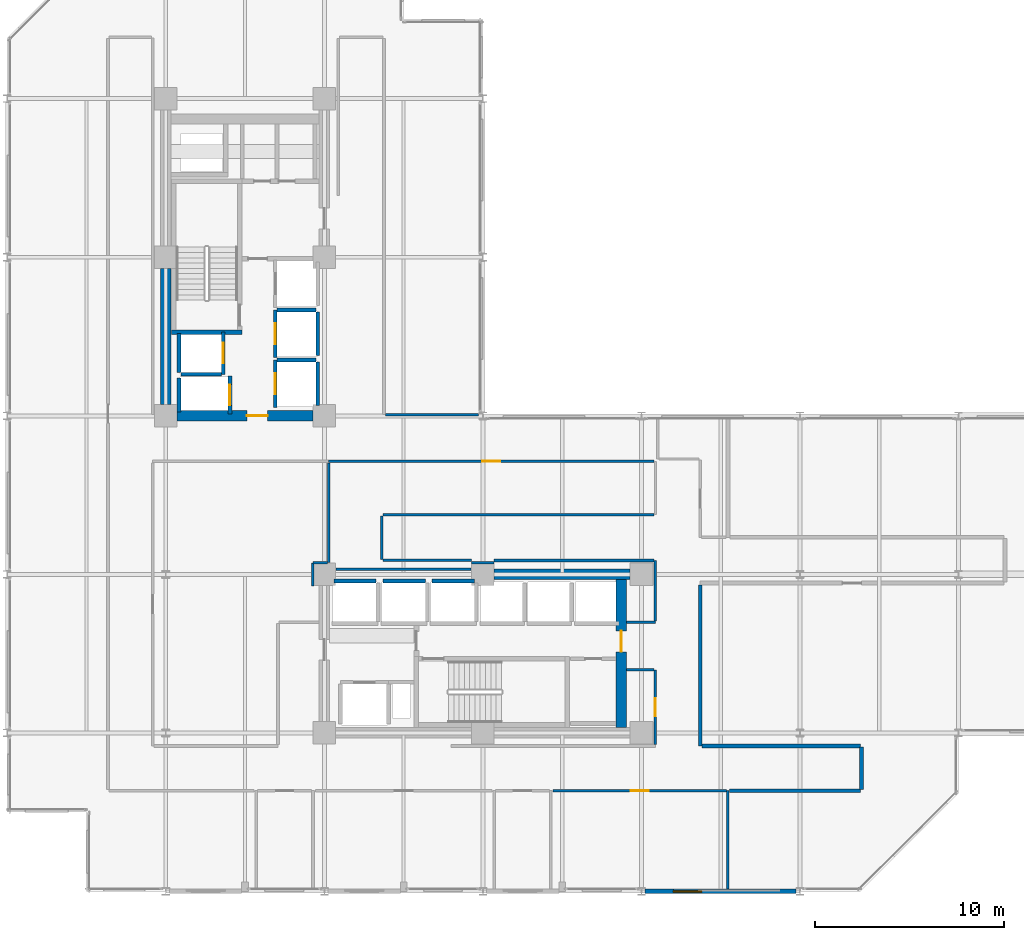
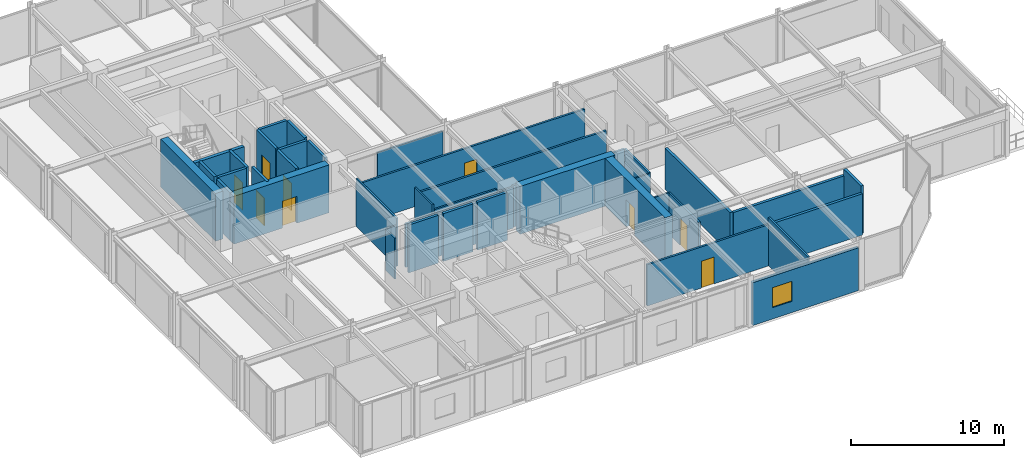
# One storey, part 33 of 38: 41 walls, 9 doors, 1 window, 10 openings.
"""IFC4 building model written with IfcOpenShell, lengths in metres."""

from ifc_helpers import new_model, si_unit, direction, frame, frame_2d, origin, place, context, subcontext, project, spatial, rectangle, extrude, material, layer, layer_set, type_object, element, fill, save


model = new_model("IFC4")

# Units and contexts
model_context = context("Model", 3, precision=1e-05, world=origin(), true_north=direction((0.0, 1.0)))
body_context = subcontext(model_context, "Body", "Model", "MODEL_VIEW")
ifc_project = project(units=[si_unit("LENGTHUNIT", "METRE"), si_unit("AREAUNIT", "SQUARE_METRE"), si_unit("VOLUMEUNIT", "CUBIC_METRE"), si_unit("PLANEANGLEUNIT", "RADIAN"), si_unit("MASSUNIT", "GRAM", prefix="KILO")], contexts=[model_context])

# Site, building, storey
site_placement = place(None, origin())
site = spatial("IfcSite", under=ifc_project, at=site_placement, CompositionType="ELEMENT")
building_placement = place(site_placement, origin())
building = spatial("IfcBuilding", under=site, at=building_placement, Name="Nerrivon Quay Data Exchange", CompositionType="ELEMENT")
storey_placement = place(building_placement, frame((0.0, 0.0, 88.5)))
storey = spatial("IfcBuildingStorey", under=building, at=storey_placement, Name="L20", CompositionType="ELEMENT", Elevation=88.5)

# Wall, opening, window
ifc_material_1 = material(Name="Architectural terracotta precast concrete N50 (50 MPa)", Category="masonry")
ifc_layer_1 = layer(ifc_material_1, 0.239990234375)
ifc_layer_set_1 = layer_set([ifc_layer_1], Name="Architectural terracotta precast concrete N50 (50 MPa)")
wall_type_1 = type_object("IfcWallType", Name="EW-PREC-240", PredefinedType="STANDARD", material=ifc_layer_set_1)
wall_1_placement = place(storey_placement, frame((41.800048828125, 0.0, 0.0), z_axis=(0.0, 0.0, 1.0), x_axis=(-1.0, 0.0, 0.0)))
wall_1 = element("IfcWall", 1, at=wall_1_placement, inside=storey, type_object=wall_type_1, Name="L20 Podium Precast Spandrel Wall 7", PredefinedType="STANDARD", context=body_context, shape_type="SweptSolid", body=[
    extrude(rectangle(XDim=8.0, YDim=0.239990234375, at=frame_2d((4.0, 0.0))), origin(), (0.0, 0.0, 1.0), 3.422119140625),
])
opening_1_placement = place(wall_1_placement, frame((5.013916015625, 0.0, 0.89990234375)))
opening_1 = element("IfcOpeningElement", 2, at=opening_1_placement, cuts=wall_1, Name="Opening WN4", PredefinedType="OPENING", context=body_context, shape_type="SweptSolid", body=[
    extrude(rectangle(XDim=1.5, YDim=1.60009765625, at=frame_2d((0.75, 0.800048828125))), frame((0.0, 0.1298828125, 0.0), z_axis=(0.0, -1.0, 0.0), x_axis=(1.0, 0.0, 0.0)), (0.0, 0.0, 1.0), 0.260009765625),
])
ifc_material_2 = material(Name="Double-glazed low-E solar control glass", Category="glass")
window_type = type_object("IfcWindowType", Name="WIN-W4-1500x1600", PartitioningType="SINGLE_PANEL", PredefinedType="WINDOW", material=ifc_material_2)
window_placement = place(opening_1_placement, origin())
window = element("IfcWindow", 3, at=window_placement, inside=storey, type_object=window_type, Name="L20 Solar Facade Window 7", OverallHeight=1.60009765625, OverallWidth=1.5, PartitioningType="SINGLE_PANEL", PredefinedType="WINDOW", context=body_context, shape_type="SweptSolid", body=[
    extrude(rectangle(XDim=1.5, YDim=1.60009765625, at=frame_2d((0.75, 0.800048828125))), frame((0.0, 0.030029296875, 0.0), z_axis=(0.0, -1.0, 0.0), x_axis=(1.0, 0.0, 0.0)), (0.0, 0.0, 1.0), 0.06005859375),
])
fill(opening_1, window)

# Wall
ifc_material_3 = material(Name="Concrete S65 (65 MPa)", Category="concrete")
ifc_layer_2 = layer(ifc_material_3, 0.550048828125)
ifc_layer_set_2 = layer_set([ifc_layer_2], Name="Concrete S65 (65 MPa)")
wall_type_2 = type_object("IfcWallType", Name="WALL-CW-700", PredefinedType="SHEAR", material=ifc_layer_set_2)
wall_2_placement = place(storey_placement, frame((8.39990234375, 25.800048828125, 0.0), z_axis=(0.0, 0.0, 1.0), x_axis=(0.0, 1.0, 0.0)))
element("IfcWall", 4, at=wall_2_placement, inside=storey, type_object=wall_type_2, Name="L20 West Split-Core Shear Wall WCW-W1", PredefinedType="SHEAR", context=body_context, shape_type="SweptSolid", body=[
    extrude(rectangle(XDim=7.199951171875, YDim=0.550048828125, at=frame_2d((3.60009765625, 0.0))), origin(), (0.0, 0.0, 1.0), 3.824951171875),
])

# Wall, opening, door
wall_3_placement = place(storey_placement, frame((9.0, 25.199951171875, 0.0), z_axis=(0.0, 0.0, 1.0), x_axis=(1.0, 0.0, 0.0)))
wall_3 = element("IfcWall", 5, at=wall_3_placement, inside=storey, type_object=wall_type_2, Name="L20 West Split-Core Shear Wall WCW-S1", PredefinedType="SHEAR", context=body_context, shape_type="SweptSolid", body=[
    extrude(rectangle(XDim=7.199951171875, YDim=0.550048828125, at=frame_2d((3.60009765625, 0.0))), origin(), (0.0, 0.0, 1.0), 3.824951171875),
])
opening_2_placement = place(wall_3_placement, frame((3.699951171875, 0.0, 0.0)))
opening_2 = element("IfcOpeningElement", 6, at=opening_2_placement, cuts=wall_3, Name="Opening FD-120", PredefinedType="OPENING", context=body_context, shape_type="SweptSolid", body=[
    extrude(rectangle(XDim=1.10009765625, YDim=2.14990234375, at=frame_2d((0.550048828125, 1.074951171875))), frame((0.0, 0.284912109375, 0.0), z_axis=(0.0, -1.0, 0.0), x_axis=(1.0, 0.0, 0.0)), (0.0, 0.0, 1.0), 0.570068359375),
])
ifc_material_4 = material(Name="Powder-coated galvanized steel sheet", Category="steel")
door_type_1 = type_object("IfcDoorType", Name="DR-FD120-1100", OperationType="NOTDEFINED", PredefinedType="DOOR", material=ifc_material_4)
door_1_placement = place(opening_2_placement, origin())
door_1 = element("IfcDoor", 7, at=door_1_placement, inside=storey, type_object=door_type_1, Name="L20 West Core Lobby Fire Door", OperationType="SINGLE_SWING_RIGHT", OverallHeight=2.14990234375, OverallWidth=1.10009765625, PredefinedType="DOOR", context=body_context, shape_type="SweptSolid", body=[
    extrude(rectangle(XDim=1.10009765625, YDim=2.14990234375, at=frame_2d((0.550048828125, 1.074951171875))), frame((0.0, 0.02490234375, 0.0), z_axis=(0.0, -1.0, 0.0), x_axis=(1.0, 0.0, 0.0)), (0.0, 0.0, 1.0), 0.050048828125),
])
fill(opening_2, door_1)

wall_4_placement = place(storey_placement, frame((32.52490234375, 8.675048828125, 0.0), z_axis=(0.0, 0.0, 1.0), x_axis=(0.0, 1.0, 0.0)))
wall_4 = element("IfcWall", 8, at=wall_4_placement, inside=storey, type_object=wall_type_2, Name="L20 East Split-Core Shear Wall ECW-E1", PredefinedType="SHEAR", context=body_context, shape_type="SweptSolid", body=[
    extrude(rectangle(XDim=7.849853515625, YDim=0.550048828125, at=frame_2d((3.9248046875, 0.0))), origin(), (0.0, 0.0, 1.0), 3.824951171875),
])
opening_3_placement = place(wall_4_placement, frame((4.02490234375, 0.0, 0.0)))
opening_3 = element("IfcOpeningElement", 9, at=opening_3_placement, cuts=wall_4, Name="Opening FD-120", PredefinedType="OPENING", context=body_context, shape_type="SweptSolid", body=[
    extrude(rectangle(XDim=1.10009765625, YDim=2.14990234375, at=frame_2d((0.550048828125, 1.074951171875))), frame((0.0, 0.284912109375, 0.0), z_axis=(0.0, -1.0, 0.0), x_axis=(1.0, 0.0, 0.0)), (0.0, 0.0, 1.0), 0.570068359375),
])
door_2_placement = place(opening_3_placement, origin())
door_2 = element("IfcDoor", 10, at=door_2_placement, inside=storey, type_object=door_type_1, Name="L20 East Core Lobby Fire Door", OperationType="SINGLE_SWING_LEFT", OverallHeight=2.14990234375, OverallWidth=1.10009765625, PredefinedType="DOOR", context=body_context, shape_type="SweptSolid", body=[
    extrude(rectangle(XDim=1.10009765625, YDim=2.14990234375, at=frame_2d((0.550048828125, 1.074951171875))), frame((0.0, 0.02490234375, 0.0), z_axis=(0.0, -1.0, 0.0), x_axis=(1.0, 0.0, 0.0)), (0.0, 0.0, 1.0), 0.050048828125),
])
fill(opening_3, door_2)

# Wall
wall_5_placement = place(storey_placement, frame((25.800048828125, 16.800048828125, 0.0), z_axis=(0.0, 0.0, 1.0), x_axis=(1.0, 0.0, 0.0)))
element("IfcWall", 11, at=wall_5_placement, inside=storey, type_object=wall_type_2, Name="L20 East Split-Core Shear Wall ECW-N1", PredefinedType="SHEAR", context=body_context, shape_type="SweptSolid", body=[
    extrude(rectangle(XDim=7.199951171875, YDim=0.550048828125, at=frame_2d((3.60009765625, 0.0))), origin(), (0.0, 0.0, 1.0), 3.824951171875),
])

# Wall, opening, door
ifc_material_5 = material(Name="Gypsum plasterboard on cold-formed framing", Category="gypsum")
ifc_layer_3 = layer(ifc_material_5, 0.199951171875)
ifc_layer_set_3 = layer_set([ifc_layer_3], Name="Gypsum plasterboard on cold-formed framing")
wall_type_3 = type_object("IfcWallType", Name="WALL-FW-200", PredefinedType="PARTITIONING", material=ifc_layer_set_3)
wall_6_placement = place(storey_placement, frame((11.449951171875, 27.39990234375, 0.0), z_axis=(0.0, 0.0, 1.0), x_axis=(0.0, 1.0, 0.0)))
wall_6 = element("IfcWall", 12, at=wall_6_placement, inside=storey, type_object=wall_type_3, Name="L20 Lift Front Wall FFL-1", PredefinedType="PARTITIONING", context=body_context, shape_type="SweptSolid", body=[
    extrude(rectangle(XDim=2.25, YDim=0.199951171875, at=frame_2d((1.125, 0.0))), origin(), (0.0, 0.0, 1.0), 3.824951171875),
])
opening_4_placement = place(wall_6_placement, frame((0.574951171875, 0.0, 0.0)))
opening_4 = element("IfcOpeningElement", 13, at=opening_4_placement, cuts=wall_6, Name="Opening LD-120", PredefinedType="OPENING", context=body_context, shape_type="SweptSolid", body=[
    extrude(rectangle(XDim=1.10009765625, YDim=2.199951171875, at=frame_2d((0.550048828125, 1.10009765625))), frame((0.0, 0.10986328125, 0.0), z_axis=(0.0, -1.0, 0.0), x_axis=(1.0, 0.0, 0.0)), (0.0, 0.0, 1.0), 0.219970703125),
])
door_type_2 = type_object("IfcDoorType", Name="DR-LIFT-LD120", OperationType="DOUBLE_DOOR_SLIDING", PredefinedType="DOOR", material=ifc_material_4)
door_3_placement = place(opening_4_placement, origin())
door_3 = element("IfcDoor", 14, at=door_3_placement, inside=storey, type_object=door_type_2, Name="L20 Lift Landing Sliding Door FFL-1", OperationType="DOUBLE_DOOR_SLIDING", OverallHeight=2.199951171875, OverallWidth=1.10009765625, PredefinedType="DOOR", context=body_context, shape_type="SweptSolid", body=[
    extrude(rectangle(XDim=1.10009765625, YDim=2.199951171875, at=frame_2d((0.550048828125, 1.10009765625))), frame((0.0, 0.02490234375, 0.0), z_axis=(0.0, -1.0, 0.0), x_axis=(1.0, 0.0, 0.0)), (0.0, 0.0, 1.0), 0.050048828125),
])
fill(opening_4, door_3)

# Walls
wall_7_placement = place(storey_placement, frame((9.10009765625, 27.5, 0.0), z_axis=(0.0, 0.0, 1.0), x_axis=(0.0, 1.0, 0.0)))
element("IfcWall", 15, at=wall_7_placement, inside=storey, type_object=wall_type_3, Name="L20 Lift Shaft Wall FFL-1 WEST", PredefinedType="PARTITIONING", context=body_context, shape_type="SweptSolid", body=[
    extrude(rectangle(XDim=2.050048828125, YDim=0.199951171875, at=frame_2d((1.02490234375, 0.0))), origin(), (0.0, 0.0, 1.0), 3.824951171875),
])
wall_8_placement = place(storey_placement, frame((9.199951171875, 27.39990234375, 0.0), z_axis=(0.0, 0.0, 1.0), x_axis=(1.0, 0.0, 0.0)))
element("IfcWall", 16, at=wall_8_placement, inside=storey, type_object=wall_type_3, Name="L20 Lift Shaft Wall FFL-1 SOUTH", PredefinedType="PARTITIONING", context=body_context, shape_type="SweptSolid", body=[
    extrude(rectangle(XDim=2.150146484375, YDim=0.199951171875, at=frame_2d((1.0751953125, 0.0))), origin(), (0.0, 0.0, 1.0), 3.824951171875),
])

# Wall, opening, door
wall_9_placement = place(storey_placement, frame((11.800048828125, 25.300048828125, 0.0), z_axis=(0.0, 0.0, 1.0), x_axis=(0.0, 1.0, 0.0)))
wall_9 = element("IfcWall", 17, at=wall_9_placement, inside=storey, type_object=wall_type_3, Name="L20 Lift Front Wall SVL-1", PredefinedType="PARTITIONING", context=body_context, shape_type="SweptSolid", body=[
    extrude(rectangle(XDim=2.0, YDim=0.199951171875, at=frame_2d((1.0, 0.0))), origin(), (0.0, 0.0, 1.0), 3.824951171875),
])
opening_5_placement = place(wall_9_placement, frame((0.449951171875, 0.0, 0.0)))
opening_5 = element("IfcOpeningElement", 18, at=opening_5_placement, cuts=wall_9, Name="Opening LD-120", PredefinedType="OPENING", context=body_context, shape_type="SweptSolid", body=[
    extrude(rectangle(XDim=1.10009765625, YDim=2.199951171875, at=frame_2d((0.550048828125, 1.10009765625))), frame((0.0, 0.10986328125, 0.0), z_axis=(0.0, -1.0, 0.0), x_axis=(1.0, 0.0, 0.0)), (0.0, 0.0, 1.0), 0.219970703125),
])
door_4_placement = place(opening_5_placement, origin())
door_4 = element("IfcDoor", 19, at=door_4_placement, inside=storey, type_object=door_type_2, Name="L20 Lift Landing Sliding Door SVL-1", OperationType="DOUBLE_DOOR_SLIDING", OverallHeight=2.199951171875, OverallWidth=1.10009765625, PredefinedType="DOOR", context=body_context, shape_type="SweptSolid", body=[
    extrude(rectangle(XDim=1.10009765625, YDim=2.199951171875, at=frame_2d((0.550048828125, 1.10009765625))), frame((0.0, 0.02490234375, 0.0), z_axis=(0.0, -1.0, 0.0), x_axis=(1.0, 0.0, 0.0)), (0.0, 0.0, 1.0), 0.050048828125),
])
fill(opening_5, door_4)

# Wall
wall_10_placement = place(storey_placement, frame((9.10009765625, 25.39990234375, 0.0), z_axis=(0.0, 0.0, 1.0), x_axis=(0.0, 1.0, 0.0)))
element("IfcWall", 20, at=wall_10_placement, inside=storey, type_object=wall_type_3, Name="L20 Lift Shaft Wall SVL-1 WEST", PredefinedType="PARTITIONING", context=body_context, shape_type="SweptSolid", body=[
    extrude(rectangle(XDim=1.800048828125, YDim=0.199951171875, at=frame_2d((0.89990234375, 0.0))), origin(), (0.0, 0.0, 1.0), 3.824951171875),
])

# Wall, opening, door
wall_11_placement = place(storey_placement, frame((14.199951171875, 25.64990234375, 0.0), z_axis=(0.0, 0.0, 1.0), x_axis=(0.0, 1.0, 0.0)))
wall_11 = element("IfcWall", 21, at=wall_11_placement, inside=storey, type_object=wall_type_3, Name="L20 Lift Front Wall PL1", PredefinedType="PARTITIONING", context=body_context, shape_type="SweptSolid", body=[
    extrude(rectangle(XDim=2.5, YDim=0.199951171875, at=frame_2d((1.25, 0.0))), origin(), (0.0, 0.0, 1.0), 3.824951171875),
])
opening_6_placement = place(wall_11_placement, frame((0.699951171875, 0.0, 0.0)))
opening_6 = element("IfcOpeningElement", 22, at=opening_6_placement, cuts=wall_11, Name="Opening LD-120", PredefinedType="OPENING", context=body_context, shape_type="SweptSolid", body=[
    extrude(rectangle(XDim=1.10009765625, YDim=2.199951171875, at=frame_2d((0.550048828125, 1.10009765625))), frame((0.0, 0.10986328125, 0.0), z_axis=(0.0, -1.0, 0.0), x_axis=(1.0, 0.0, 0.0)), (0.0, 0.0, 1.0), 0.219970703125),
])
door_5_placement = place(opening_6_placement, origin())
door_5 = element("IfcDoor", 23, at=door_5_placement, inside=storey, type_object=door_type_2, Name="L20 Lift Landing Sliding Door PL1", OperationType="DOUBLE_DOOR_SLIDING", OverallHeight=2.199951171875, OverallWidth=1.10009765625, PredefinedType="DOOR", context=body_context, shape_type="SweptSolid", body=[
    extrude(rectangle(XDim=1.10009765625, YDim=2.199951171875, at=frame_2d((0.550048828125, 1.10009765625))), frame((0.0, 0.02490234375, 0.0), z_axis=(0.0, -1.0, 0.0), x_axis=(1.0, 0.0, 0.0)), (0.0, 0.0, 1.0), 0.050048828125),
])
fill(opening_6, door_5)

# Walls
wall_12_placement = place(storey_placement, frame((16.449951171875, 25.75, 0.0), z_axis=(0.0, 0.0, 1.0), x_axis=(0.0, 1.0, 0.0)))
element("IfcWall", 24, at=wall_12_placement, inside=storey, type_object=wall_type_3, Name="L20 Lift Shaft Wall PL1 EAST", PredefinedType="PARTITIONING", context=body_context, shape_type="SweptSolid", body=[
    extrude(rectangle(XDim=2.300048828125, YDim=0.199951171875, at=frame_2d((1.14990234375, 0.0))), origin(), (0.0, 0.0, 1.0), 3.824951171875),
])
wall_13_placement = place(storey_placement, frame((14.300048828125, 28.14990234375, 0.0), z_axis=(0.0, 0.0, 1.0), x_axis=(1.0, 0.0, 0.0)))
element("IfcWall", 25, at=wall_13_placement, inside=storey, type_object=wall_type_3, Name="L20 Lift Shaft Wall PL1 NORTH", PredefinedType="PARTITIONING", context=body_context, shape_type="SweptSolid", body=[
    extrude(rectangle(XDim=2.050048828125, YDim=0.199951171875, at=frame_2d((1.02490234375, 0.0))), origin(), (0.0, 0.0, 1.0), 3.824951171875),
])

# Wall, opening, door
wall_14_placement = place(storey_placement, frame((14.199951171875, 28.300048828125, 0.0), z_axis=(0.0, 0.0, 1.0), x_axis=(0.0, 1.0, 0.0)))
wall_14 = element("IfcWall", 26, at=wall_14_placement, inside=storey, type_object=wall_type_3, Name="L20 Lift Front Wall PL2", PredefinedType="PARTITIONING", context=body_context, shape_type="SweptSolid", body=[
    extrude(rectangle(XDim=2.5, YDim=0.199951171875, at=frame_2d((1.25, 0.0))), origin(), (0.0, 0.0, 1.0), 3.824951171875),
])
opening_7_placement = place(wall_14_placement, frame((0.699951171875, 0.0, 0.0)))
opening_7 = element("IfcOpeningElement", 27, at=opening_7_placement, cuts=wall_14, Name="Opening LD-120", PredefinedType="OPENING", context=body_context, shape_type="SweptSolid", body=[
    extrude(rectangle(XDim=1.10009765625, YDim=2.199951171875, at=frame_2d((0.550048828125, 1.10009765625))), frame((0.0, 0.10986328125, 0.0), z_axis=(0.0, -1.0, 0.0), x_axis=(1.0, 0.0, 0.0)), (0.0, 0.0, 1.0), 0.219970703125),
])
door_6_placement = place(opening_7_placement, origin())
door_6 = element("IfcDoor", 28, at=door_6_placement, inside=storey, type_object=door_type_2, Name="L20 Lift Landing Sliding Door PL2", OperationType="DOUBLE_DOOR_SLIDING", OverallHeight=2.199951171875, OverallWidth=1.10009765625, PredefinedType="DOOR", context=body_context, shape_type="SweptSolid", body=[
    extrude(rectangle(XDim=1.10009765625, YDim=2.199951171875, at=frame_2d((0.550048828125, 1.10009765625))), frame((0.0, 0.02490234375, 0.0), z_axis=(0.0, -1.0, 0.0), x_axis=(1.0, 0.0, 0.0)), (0.0, 0.0, 1.0), 0.050048828125),
])
fill(opening_7, door_6)

# Walls
wall_15_placement = place(storey_placement, frame((16.449951171875, 28.39990234375, 0.0), z_axis=(0.0, 0.0, 1.0), x_axis=(0.0, 1.0, 0.0)))
element("IfcWall", 29, at=wall_15_placement, inside=storey, type_object=wall_type_3, Name="L20 Lift Shaft Wall PL2 EAST", PredefinedType="PARTITIONING", context=body_context, shape_type="SweptSolid", body=[
    extrude(rectangle(XDim=2.300048828125, YDim=0.199951171875, at=frame_2d((1.14990234375, 0.0))), origin(), (0.0, 0.0, 1.0), 3.824951171875),
])
wall_16_placement = place(storey_placement, frame((14.300048828125, 30.800048828125, 0.0), z_axis=(0.0, 0.0, 1.0), x_axis=(1.0, 0.0, 0.0)))
element("IfcWall", 30, at=wall_16_placement, inside=storey, type_object=wall_type_3, Name="L20 Lift Shaft Wall PL2 NORTH", PredefinedType="PARTITIONING", context=body_context, shape_type="SweptSolid", body=[
    extrude(rectangle(XDim=2.050048828125, YDim=0.199951171875, at=frame_2d((1.02490234375, 0.0))), origin(), (0.0, 0.0, 1.0), 3.824951171875),
])
for number, where, z_axis, x_axis, name in (
    (31, (17.300048828125, 16.449951171875, 0.0), (0.0, 0.0, 1.0), (1.0, 0.0, 0.0), "L20 Lift Shaft Wall PL4 NORTH"),
    (32, (19.89990234375, 16.449951171875, 0.0), (0.0, 0.0, 1.0), (1.0, 0.0, 0.0), "L20 Lift Shaft Wall PL5 NORTH"),
    (33, (22.5, 16.449951171875, 0.0), (0.0, 0.0, 1.0), (1.0, 0.0, 0.0), "L20 Lift Shaft Wall PL6 NORTH"),
):
    element("IfcWall", number, at=place(storey_placement, frame(where, z_axis=z_axis, x_axis=x_axis)), inside=storey, type_object=wall_type_3, Name=name, PredefinedType="PARTITIONING", context=body_context, shape_type="SweptSolid", body=[
        extrude(rectangle(XDim=2.25, YDim=0.199951171875, at=frame_2d((1.125, 0.0))), origin(), (0.0, 0.0, 1.0), 3.824951171875),
    ])
wall_17_placement = place(storey_placement, frame((36.7099609375, 16.236083984375, 0.0), z_axis=(0.0, 0.0, 1.0), x_axis=(0.0, -1.0, 0.0)))
element("IfcWall", 34, at=wall_17_placement, inside=storey, type_object=wall_type_3, Name="L20 Partition Colocation Data Workspace 1", PredefinedType="PARTITIONING", context=body_context, shape_type="SweptSolid", body=[
    extrude(rectangle(XDim=8.526123046875, YDim=0.199951171875, at=frame_2d((4.26318359375, 0.0))), origin(), (0.0, 0.0, 1.0), 3.2919921875),
])
wall_18_placement = place(storey_placement, frame((36.81396484375, 7.7099609375, 0.0), z_axis=(0.0, 0.0, 1.0), x_axis=(1.0, 0.0, 0.0)))
element("IfcWall", 35, at=wall_18_placement, inside=storey, type_object=wall_type_3, Name="L20 Partition Colocation Data Workspace 1", PredefinedType="PARTITIONING", context=body_context, shape_type="SweptSolid", body=[
    extrude(rectangle(XDim=8.385986328125, YDim=0.199951171875, at=frame_2d((4.19287109375, 0.0))), origin(), (0.0, 0.0, 1.0), 3.297119140625),
])
wall_19_placement = place(storey_placement, frame((45.260009765625, 7.64990234375, 0.0), z_axis=(0.0, 0.0, 1.0), x_axis=(0.0, -1.0, 0.0)))
element("IfcWall", 36, at=wall_19_placement, inside=storey, type_object=wall_type_3, Name="L20 Partition Colocation Data Workspace 1", PredefinedType="PARTITIONING", context=body_context, shape_type="SweptSolid", body=[
    extrude(rectangle(XDim=2.25, YDim=0.199951171875, at=frame_2d((1.125, 0.0))), origin(), (0.0, 0.0, 1.0), 3.824951171875),
])
wall_20_placement = place(storey_placement, frame((45.199951171875, 5.340087890625, 0.0), z_axis=(0.0, 0.0, 1.0), x_axis=(-1.0, 0.0, 0.0)))
element("IfcWall", 37, at=wall_20_placement, inside=storey, type_object=wall_type_3, Name="L20 Partition Colocation Data Workspace 1", PredefinedType="PARTITIONING", context=body_context, shape_type="SweptSolid", body=[
    extrude(rectangle(XDim=6.946533203125, YDim=0.199951171875, at=frame_2d((3.47314453125, 0.0))), origin(), (0.0, 0.0, 1.0), 3.297119140625),
])
ifc_layer_4 = layer(ifc_material_5, 0.1201171875)
ifc_layer_set_4 = layer_set([ifc_layer_4], Name="Gypsum plasterboard on cold-formed framing")
wall_type_4 = type_object("IfcWallType", Name="WALL-PT-120", PredefinedType="PARTITIONING", material=ifc_layer_set_4)
wall_21_placement = place(storey_placement, frame((34.2685546875, 11.739990234375, 0.0), z_axis=(0.0, 0.0, 1.0), x_axis=(-1.0, 0.0, 0.0)))
element("IfcWall", 38, at=wall_21_placement, inside=storey, type_object=wall_type_4, Name="L20 Partition Staff Pantry", PredefinedType="PARTITIONING", context=body_context, shape_type="SweptSolid", body=[
    extrude(rectangle(XDim=1.464599609375, YDim=0.1201171875, at=frame_2d((0.732421875, 0.0))), origin(), (0.0, 0.0, 1.0), 3.297119140625),
])
wall_22_placement = place(storey_placement, frame((24.59423828125, 17.419189453125, 0.0), z_axis=(0.0, 0.0, 1.0), x_axis=(0.999999815526, 0.000607410295, 0.0)))
element("IfcWall", 39, at=wall_22_placement, inside=storey, type_object=wall_type_4, Name="L20 Partition Technical Library", PredefinedType="PARTITIONING", context=body_context, shape_type="SweptSolid", body=[
    extrude(rectangle(XDim=1.205810546875, YDim=0.1201171875, at=frame_2d((0.60302734375, 0.0))), origin(), (0.0, 0.0, 1.0), 3.297119140625),
])
wall_23_placement = place(storey_placement, frame((32.803955078125, 14.260009765625, 0.0), z_axis=(0.0, 0.0, 1.0), x_axis=(1.0, 0.0, 0.0)))
element("IfcWall", 40, at=wall_23_placement, inside=storey, type_object=wall_type_4, Name="L20 Partition Technical Library", PredefinedType="PARTITIONING", context=body_context, shape_type="SweptSolid", body=[
    extrude(rectangle(XDim=1.5361328125, YDim=0.1201171875, at=frame_2d((0.76806640625, 0.0))), origin(), (0.0, 0.0, 1.0), 3.297119140625),
])
wall_24_placement = place(storey_placement, frame((19.840087890625, 17.60009765625, 0.0), z_axis=(0.0, 0.0, 1.0), x_axis=(0.0, 1.0, 0.0)))
element("IfcWall", 41, at=wall_24_placement, inside=storey, type_object=wall_type_4, Name="L20 Partition Technical Library", PredefinedType="PARTITIONING", context=body_context, shape_type="SweptSolid", body=[
    extrude(rectangle(XDim=2.2998046875, YDim=0.1201171875, at=frame_2d((1.14990234375, 0.0))), origin(), (0.0, 0.0, 1.0), 3.824951171875),
])
wall_25_placement = place(storey_placement, frame((16.180908203125, 16.194091796875, 0.0), z_axis=(0.0, 0.0, 1.0), x_axis=(-0.000606305467, 0.999999816197, 0.0)))
element("IfcWall", 42, at=wall_25_placement, inside=storey, type_object=wall_type_4, Name="L20 Partition Cloud Compute Workspace 1", PredefinedType="PARTITIONING", context=body_context, shape_type="SweptSolid", body=[
    extrude(rectangle(XDim=1.2080078125, YDim=0.1201171875, at=frame_2d((0.60400390625, 0.0))), origin(), (0.0, 0.0, 1.0), 3.2919921875),
])
wall_26_placement = place(storey_placement, frame((16.199951171875, 17.419921875, 0.0), z_axis=(0.0, 0.0, 1.0), x_axis=(1.0, 0.0, 0.0)))
element("IfcWall", 43, at=wall_26_placement, inside=storey, type_object=wall_type_4, Name="L20 Partition Cloud Compute Workspace 1", PredefinedType="PARTITIONING", context=body_context, shape_type="SweptSolid", body=[
    extrude(rectangle(XDim=0.759033203125, YDim=0.1201171875, at=frame_2d((0.37939453125, 0.0))), origin(), (0.0, 0.0, 1.0), 3.297119140625),
])

# Wall, opening, door
ifc_layer_5 = layer(ifc_material_5, 0.135009765625)
ifc_layer_set_5 = layer_set([ifc_layer_5], Name="Gypsum plasterboard on cold-formed framing")
wall_type_5 = type_object("IfcWallType", Name="WALL-PT-135", PredefinedType="PARTITIONING", material=ifc_layer_set_5)
wall_27_placement = place(storey_placement, frame((34.340087890625, 7.7890625, 0.0), z_axis=(0.0, 0.0, 1.0), x_axis=(0.0, 1.0, 0.0)))
wall_27 = element("IfcWall", 44, at=wall_27_placement, inside=storey, type_object=wall_type_5, Name="L20 Partition Staff Pantry", PredefinedType="PARTITIONING", context=body_context, shape_type="SweptSolid", body=[
    extrude(rectangle(XDim=3.950927734375, YDim=0.135009765625, at=frame_2d((1.9755859375, 0.0))), origin(), (0.0, 0.0, 1.0), 3.2919921875),
])
opening_8_placement = place(wall_27_placement, frame((1.50048828125, 0.0, 0.0)))
opening_8 = element("IfcOpeningElement", 45, at=opening_8_placement, cuts=wall_27, Name="Opening D-01", PredefinedType="OPENING", context=body_context, shape_type="SweptSolid", body=[
    extrude(rectangle(XDim=0.949951171875, YDim=2.14990234375, at=frame_2d((0.47509765625, 1.074951171875))), frame((0.0, 0.077392578125, 0.0), z_axis=(0.0, -1.0, 0.0), x_axis=(1.0, 0.0, 0.0)), (0.0, 0.0, 1.0), 0.155029296875),
])
ifc_material_6 = material(Name="Engineered hardwood timber", Category="wood")
door_type_3 = type_object("IfcDoorType", Name="DR-INT-950", OperationType="NOTDEFINED", PredefinedType="DOOR", material=ifc_material_6)
door_7_placement = place(opening_8_placement, origin())
door_7 = element("IfcDoor", 46, at=door_7_placement, inside=storey, type_object=door_type_3, Name="L20 Door Staff Pantry", OperationType="SINGLE_SWING_RIGHT", OverallHeight=2.14990234375, OverallWidth=0.949951171875, PredefinedType="DOOR", context=body_context, shape_type="SweptSolid", body=[
    extrude(rectangle(XDim=0.949951171875, YDim=2.14990234375, at=frame_2d((0.47509765625, 1.074951171875))), frame((0.0, 0.02490234375, 0.0), z_axis=(0.0, -1.0, 0.0), x_axis=(1.0, 0.0, 0.0)), (0.0, 0.0, 1.0), 0.050048828125),
])
fill(opening_8, door_7)

# Walls
wall_28_placement = place(storey_placement, frame((38.181884765625, 0.1240234375, 0.0), z_axis=(0.0, 0.0, 1.0), x_axis=(0.0, 1.0, 0.0)))
element("IfcWall", 47, at=wall_28_placement, inside=storey, type_object=wall_type_5, Name="L20 Partition Network Security Control", PredefinedType="PARTITIONING", context=body_context, shape_type="SweptSolid", body=[
    extrude(rectangle(XDim=5.216064453125, YDim=0.135009765625, at=frame_2d((2.60791015625, 0.0))), origin(), (0.0, 0.0, 1.0), 3.824951171875),
])
wall_29_placement = place(storey_placement, frame((17.030517578125, 22.7109375, 0.0), z_axis=(0.0, 0.0, 1.0), x_axis=(0.0, -1.0, 0.0)))
element("IfcWall", 48, at=wall_29_placement, inside=storey, type_object=wall_type_5, Name="L20 Partition Technical Library", PredefinedType="PARTITIONING", context=body_context, shape_type="SweptSolid", body=[
    extrude(rectangle(XDim=5.291015625, YDim=0.135009765625, at=frame_2d((2.6455078125, 0.0))), origin(), (0.0, 0.0, 1.0), 3.824951171875),
])
wall_30_placement = place(storey_placement, frame((34.340087890625, 14.323974609375, 0.0), z_axis=(0.0, 0.0, 1.0), x_axis=(0.0, 1.0, 0.0)))
element("IfcWall", 49, at=wall_30_placement, inside=storey, type_object=wall_type_5, Name="L20 Partition Technical Library", PredefinedType="PARTITIONING", context=body_context, shape_type="SweptSolid", body=[
    extrude(rectangle(XDim=3.216064453125, YDim=0.135009765625, at=frame_2d((1.60791015625, 0.0))), origin(), (0.0, 0.0, 1.0), 3.2919921875),
])
wall_31_placement = place(storey_placement, frame((24.593994140625, 17.5400390625, 0.0), z_axis=(0.0, 0.0, 1.0), x_axis=(-1.0, 0.0, 0.0)))
element("IfcWall", 50, at=wall_31_placement, inside=storey, type_object=wall_type_5, Name="L20 Partition Technical Library", PredefinedType="PARTITIONING", context=body_context, shape_type="SweptSolid", body=[
    extrude(rectangle(XDim=4.694091796875, YDim=0.135009765625, at=frame_2d((2.34716796875, 0.0))), origin(), (0.0, 0.0, 1.0), 3.468994140625),
])
wall_32_placement = place(storey_placement, frame((20.0390625, 25.260009765625, 0.0), z_axis=(0.0, 0.0, 1.0), x_axis=(1.0, 0.0, 0.0)))
element("IfcWall", 51, at=wall_32_placement, inside=storey, type_object=wall_type_5, Name="L20 Partition Optical Engineering Studios Workspace", PredefinedType="PARTITIONING", context=body_context, shape_type="SweptSolid", body=[
    extrude(rectangle(XDim=4.94091796875, YDim=0.135009765625, at=frame_2d((2.470458984375, 0.0))), origin(), (0.0, 0.0, 1.0), 3.2919921875),
])

# Wall, opening, door
ifc_layer_6 = layer(ifc_material_5, 0.14990234375)
ifc_layer_set_6 = layer_set([ifc_layer_6], Name="Gypsum plasterboard on cold-formed framing")
wall_type_6 = type_object("IfcWallType", Name="WALL-PT-150", PredefinedType="PARTITIONING", material=ifc_layer_set_6)
wall_33_placement = place(storey_placement, frame((38.110595703125, 5.340087890625, 0.0), z_axis=(0.0, 0.0, 1.0), x_axis=(-1.0, 0.0, 0.0)))
wall_33 = element("IfcWall", 52, at=wall_33_placement, inside=storey, type_object=wall_type_6, Name="L20 Partition Network Security Control", PredefinedType="PARTITIONING", context=body_context, shape_type="SweptSolid", body=[
    extrude(rectangle(XDim=9.190673828125, YDim=0.14990234375, at=frame_2d((4.59521484375, 0.0))), origin(), (0.0, 0.0, 1.0), 3.297119140625),
])
opening_9_placement = place(wall_33_placement, frame((4.120361328125, 0.0, 0.0)))
opening_9 = element("IfcOpeningElement", 53, at=opening_9_placement, cuts=wall_33, Name="Opening D-01", PredefinedType="OPENING", context=body_context, shape_type="SweptSolid", body=[
    extrude(rectangle(XDim=0.949951171875, YDim=2.14990234375, at=frame_2d((0.47509765625, 1.074951171875))), frame((0.0, 0.0849609375, 0.0), z_axis=(0.0, -1.0, 0.0), x_axis=(1.0, 0.0, 0.0)), (0.0, 0.0, 1.0), 0.169921875),
])
door_8_placement = place(opening_9_placement, origin())
door_8 = element("IfcDoor", 54, at=door_8_placement, inside=storey, type_object=door_type_3, Name="L20 Door Network Security Control", OperationType="SINGLE_SWING_LEFT", OverallHeight=2.14990234375, OverallWidth=0.949951171875, PredefinedType="DOOR", context=body_context, shape_type="SweptSolid", body=[
    extrude(rectangle(XDim=0.949951171875, YDim=2.14990234375, at=frame_2d((0.47509765625, 1.074951171875))), frame((0.0, 0.02490234375, 0.0), z_axis=(0.0, -1.0, 0.0), x_axis=(1.0, 0.0, 0.0)), (0.0, 0.0, 1.0), 0.050048828125),
])
fill(opening_9, door_8)

wall_34_placement = place(storey_placement, frame((34.27587890625, 22.7900390625, 0.0), z_axis=(0.0, 0.0, 1.0), x_axis=(-1.0, 0.0, 0.0)))
wall_34 = element("IfcWall", 55, at=wall_34_placement, inside=storey, type_object=wall_type_6, Name="L20 Partition Technical Library", PredefinedType="PARTITIONING", context=body_context, shape_type="SweptSolid", body=[
    extrude(rectangle(XDim=17.245361328125, YDim=0.14990234375, at=frame_2d((8.62255859375, 0.0))), origin(), (0.0, 0.0, 1.0), 3.297119140625),
])
opening_10_placement = place(wall_34_placement, frame((8.147705078125, 0.0, 0.0)))
opening_10 = element("IfcOpeningElement", 56, at=opening_10_placement, cuts=wall_34, Name="Opening D-01", PredefinedType="OPENING", context=body_context, shape_type="SweptSolid", body=[
    extrude(rectangle(XDim=0.949951171875, YDim=2.14990234375, at=frame_2d((0.47509765625, 1.074951171875))), frame((0.0, 0.0849609375, 0.0), z_axis=(0.0, -1.0, 0.0), x_axis=(1.0, 0.0, 0.0)), (0.0, 0.0, 1.0), 0.169921875),
])
door_9_placement = place(opening_10_placement, origin())
door_9 = element("IfcDoor", 57, at=door_9_placement, inside=storey, type_object=door_type_3, Name="L20 Door Technical Library", OperationType="SINGLE_SWING_LEFT", OverallHeight=2.14990234375, OverallWidth=0.949951171875, PredefinedType="DOOR", context=body_context, shape_type="SweptSolid", body=[
    extrude(rectangle(XDim=0.949951171875, YDim=2.14990234375, at=frame_2d((0.47509765625, 1.074951171875))), frame((0.0, 0.02490234375, 0.0), z_axis=(0.0, -1.0, 0.0), x_axis=(1.0, 0.0, 0.0)), (0.0, 0.0, 1.0), 0.050048828125),
])
fill(opening_10, door_9)

# Walls
wall_35_placement = place(storey_placement, frame((17.419921875, 17.074951171875, 0.0), z_axis=(0.0, 0.0, 1.0), x_axis=(1.0, 0.0, 0.0)))
element("IfcWall", 58, at=wall_35_placement, inside=storey, type_object=wall_type_6, Name="L20 Partition Technical Library", PredefinedType="PARTITIONING", context=body_context, shape_type="SweptSolid", body=[
    extrude(rectangle(XDim=7.16015625, YDim=0.14990234375, at=frame_2d((3.580078125, 0.0))), origin(), (0.0, 0.0, 1.0), 3.468994140625),
])
wall_36_placement = place(storey_placement, frame((34.2685546875, 17.5400390625, 0.0), z_axis=(0.0, 0.0, 1.0), x_axis=(-1.0, 0.0, 0.0)))
element("IfcWall", 59, at=wall_36_placement, inside=storey, type_object=wall_type_6, Name="L20 Partition Technical Library", PredefinedType="PARTITIONING", context=body_context, shape_type="SweptSolid", body=[
    extrude(rectangle(XDim=8.46875, YDim=0.14990234375, at=frame_2d((4.234375, 0.0))), origin(), (0.0, 0.0, 1.0), 3.297119140625),
])
wall_37_placement = place(storey_placement, frame((19.89990234375, 19.9599609375, 0.0), z_axis=(0.0, 0.0, 1.0), x_axis=(1.0, 0.0, 0.0)))
element("IfcWall", 60, at=wall_37_placement, inside=storey, type_object=wall_type_6, Name="L20 Partition Technical Library", PredefinedType="PARTITIONING", context=body_context, shape_type="SweptSolid", body=[
    extrude(rectangle(XDim=14.3759765625, YDim=0.14990234375, at=frame_2d((7.18798828125, 0.0))), origin(), (0.0, 0.0, 1.0), 3.297119140625),
])
ifc_material_7 = material(Name="Concrete N50 (50 MPa)", Category="concrete")
ifc_layer_7 = layer(ifc_material_7, 0.25)
ifc_layer_set_7 = layer_set([ifc_layer_7], Name="Concrete N50 (50 MPa)")
wall_type_7 = type_object("IfcWallType", Name="WALL-SW-250", PredefinedType="SHEAR", material=ifc_layer_set_7)
wall_38_placement = place(storey_placement, frame((12.449951171875, 29.625, 0.0), z_axis=(0.0, 0.0, 1.0), x_axis=(-1.0, 0.0, 0.0)))
element("IfcWall", 61, at=wall_38_placement, inside=storey, type_object=wall_type_7, Name="L20 ST01 Structural Stair Core Wall NEAR", PredefinedType="SHEAR", context=body_context, shape_type="SweptSolid", body=[
    extrude(rectangle(XDim=3.75, YDim=0.25, at=frame_2d((1.875, 0.0))), origin(), (0.0, 0.0, 1.0), 3.824951171875),
])

save(model, "model.ifc")
